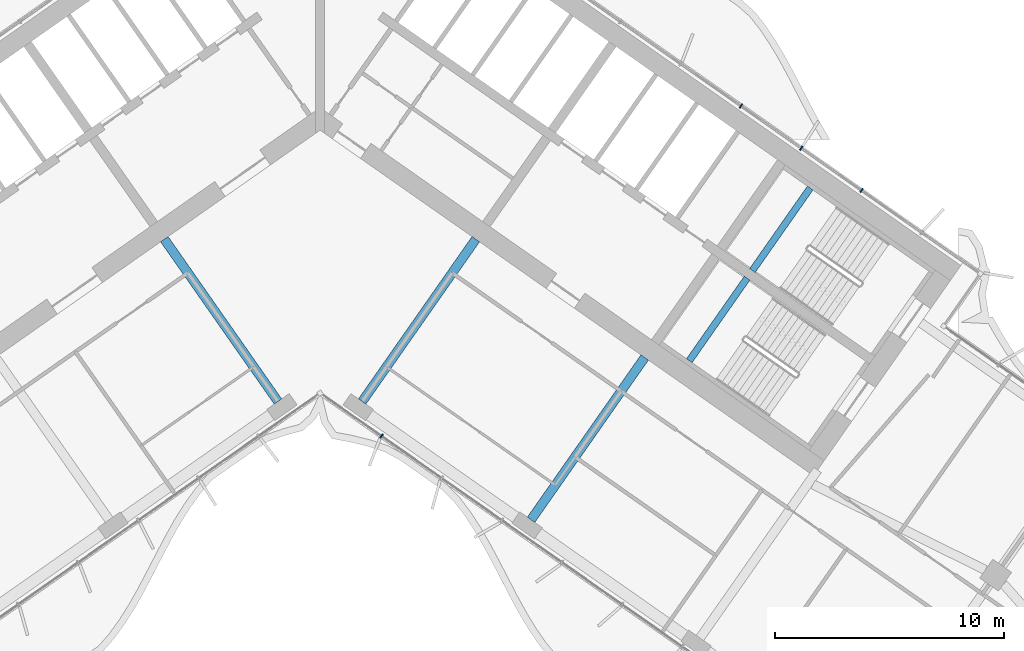
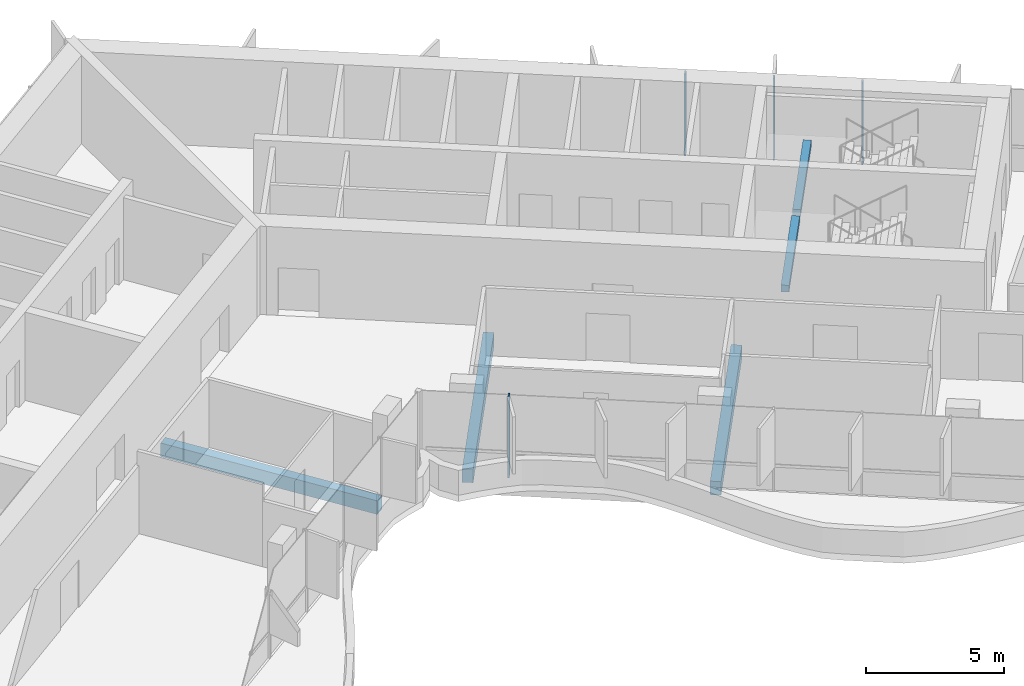
# One storey, part 7 of 23: 5 beams, 4 members, 2 elements without a shape of their own.
"""IFC4 building model written with IfcOpenShell, lengths in metres."""

from ifc_helpers import new_model, si_unit, direction, frame, origin, origin_2d, place, context, subcontext, project, spatial, rectangle, extrude, material, material_profile, profile_set, type_object, element, aggregate, save


model = new_model("IFC4")

# Units and contexts
model_context = context("Model", 3, precision=1e-05, world=origin(), true_north=direction((0.0, 1.0)))
body_context = subcontext(model_context, "Body", "Model", "MODEL_VIEW")
ifc_project = project(units=[si_unit("LENGTHUNIT", "METRE"), si_unit("AREAUNIT", "SQUARE_METRE"), si_unit("VOLUMEUNIT", "CUBIC_METRE"), si_unit("PLANEANGLEUNIT", "RADIAN"), si_unit("MASSUNIT", "GRAM", prefix="KILO")], contexts=[model_context])

# Site, building, storey
site_placement = place(None, origin())
site = spatial("IfcSite", under=ifc_project, at=site_placement, CompositionType="ELEMENT")
building_placement = place(site_placement, origin())
building = spatial("IfcBuilding", under=site, at=building_placement, Name="Tel Ilan Convention Tower", CompositionType="ELEMENT")
storey_placement = place(building_placement, frame((0.0, 0.0, 174.89990234375)))
storey = spatial("IfcBuildingStorey", under=building, at=storey_placement, Name="L40", CompositionType="ELEMENT", Elevation=174.89990234375)

# Beams
ifc_material_1 = material(Name="Concrete C40/50", Category="concrete")
ifc_material_profile_1 = material_profile(ifc_material_1, rectangle(XDim=0.39990234375, YDim=0.60009765625, at=origin_2d()), Name="RC 400x600")
ifc_profile_set_1 = profile_set([ifc_material_profile_1], Name="Concrete C40/50")
beam_type_1 = type_object("IfcBeamType", Name="Beam RC 400x600 Concrete C40/50", PredefinedType="BEAM", material=ifc_profile_set_1)
for number, where, z_axis, x_axis, name in (
    (1, (-1.83740234375, -13.06689453125, -0.579833984375), (-0.573574099654, 0.819153680457, 0.0), (-0.819153680457, -0.573574099654, 0.0), "L40 beam W-W-F1-core"),
    (2, (1.83740234375, -13.06689453125, -0.579833984375), (0.573574099654, 0.819153680457, 0.0), (-0.819153680457, 0.573574099654, 0.0), "L40 beam E-E-F1-core"),
    (3, (9.209716796875, -18.229248046875, -0.579833984375), (0.573574099654, 0.819153680457, 0.0), (-0.819153680457, 0.573574099654, 0.0), "L40 beam E-E-F2-core"),
):
    element("IfcBeam", number, at=place(storey_placement, frame(where, z_axis=z_axis, x_axis=x_axis)), inside=storey, type_object=beam_type_1, Name=name, PredefinedType="BEAM", context=body_context, shape_type="SweptSolid", body=[
        extrude(rectangle(XDim=0.39990234375, YDim=0.60009765625, at=origin_2d()), origin(), (0.0, 0.0, 1.0), 8.64990234375),
    ])

# Curtain wall, members
ifc_material_2 = material(Name="Aluminium, bronze anodised", Category="aluminium")
curtain_wall_type_1 = type_object("IfcCurtainWallType", Name="CW2 STICK CURTAIN WALL, SPANDREL PANELS", PredefinedType="NOTDEFINED", material=ifc_material_2)
curtain_wall_1_placement = place(storey_placement, origin())
curtain_wall_1 = element("IfcCurtainWall", 4, at=curtain_wall_1_placement, inside=storey, type_object=curtain_wall_type_1, Name="Curtain wall CW2-31.01", PredefinedType="NOTDEFINED")
ifc_material_3 = material(Name="Aluminium, bronze anodised", Category="aluminium")
ifc_material_profile_2 = material_profile(ifc_material_3, rectangle(XDim=0.06005859375, YDim=0.199951171875, at=origin_2d()), Name="CW MULLION 60x200")
ifc_profile_set_2 = profile_set([ifc_material_profile_2], Name="Aluminium, bronze anodised")
member_type = type_object("IfcMemberType", Name="CW MULLION 60x200", PredefinedType="MULLION", material=ifc_profile_set_2)
member_1_placement = place(storey_placement, frame((23.63623046875, -3.854248046875, 0.0), z_axis=(0.0, 0.0, 1.0), x_axis=(-0.819152044289, 0.573576436351, 0.0)))
member_1 = element("IfcMember", 5, at=member_1_placement, type_object=member_type, Name="Mullion", PredefinedType="MULLION", context=body_context, shape_type="SweptSolid", body=[
    extrude(rectangle(XDim=0.06005859375, YDim=0.199951171875, at=origin_2d()), origin(), (0.0, 0.0, 1.0), 3.6201171875),
])
member_2_placement = place(storey_placement, frame((21.003662109375, -2.0107421875, 0.0), z_axis=(0.0, 0.0, 1.0), x_axis=(-0.819152044289, 0.573576436351, 0.0)))
member_2 = element("IfcMember", 6, at=member_2_placement, type_object=member_type, Name="Mullion", PredefinedType="MULLION", context=body_context, shape_type="SweptSolid", body=[
    extrude(rectangle(XDim=0.06005859375, YDim=0.199951171875, at=origin_2d()), origin(), (0.0, 0.0, 1.0), 3.6201171875),
])
member_3_placement = place(storey_placement, frame((18.37109375, -0.16748046875, 0.0), z_axis=(0.0, 0.0, 1.0), x_axis=(-0.819152044289, 0.573576436351, 0.0)))
member_3 = element("IfcMember", 7, at=member_3_placement, type_object=member_type, Name="Mullion", PredefinedType="MULLION", context=body_context, shape_type="SweptSolid", body=[
    extrude(rectangle(XDim=0.06005859375, YDim=0.199951171875, at=origin_2d()), origin(), (0.0, 0.0, 1.0), 3.6201171875),
])
aggregate(curtain_wall_1, [member_1, member_2, member_3])

# Curtain wall, member
ifc_material_4 = material(Name="Aluminium, bronze anodised", Category="aluminium")
curtain_wall_type_2 = type_object("IfcCurtainWallType", Name="CW4 STICK CURTAIN WALL, OFFICE TINTED GLASS", PredefinedType="NOTDEFINED", material=ifc_material_4)
curtain_wall_2_placement = place(storey_placement, origin())
curtain_wall_2 = element("IfcCurtainWall", 8, at=curtain_wall_2_placement, inside=storey, type_object=curtain_wall_type_2, Name="Curtain wall CW4-31.02", PredefinedType="NOTDEFINED")
member_4_placement = place(storey_placement, frame((2.6826171875, -14.574462890625, 0.0), z_axis=(0.0, 0.0, 1.0), x_axis=(0.819152044289, -0.573576436351, 0.0)))
member_4 = element("IfcMember", 9, at=member_4_placement, type_object=member_type, Name="Mullion", PredefinedType="MULLION", context=body_context, shape_type="SweptSolid", body=[
    extrude(rectangle(XDim=0.06005859375, YDim=0.199951171875, at=origin_2d()), origin(), (0.0, 0.0, 1.0), 3.6201171875),
])
aggregate(curtain_wall_2, [member_4])

# Beams
ifc_material_5 = material(Name="Concrete C40/50", Category="concrete")
ifc_material_profile_3 = material_profile(ifc_material_5, rectangle(XDim=0.300048828125, YDim=0.300048828125, at=origin_2d()), Name="RC 300x300")
ifc_profile_set_3 = profile_set([ifc_material_profile_3], Name="Concrete C40/50")
beam_type_2 = type_object("IfcBeamType", Name="Landing Beam RC 300x300 Concrete C40/50", PredefinedType="BEAM", material=ifc_profile_set_3)
beam_1_placement = place(storey_placement, frame((21.39404296875, -3.7490234375, 1.60009765625), z_axis=(-0.57354426506, -0.819174569928, 0.0), x_axis=(0.819174569928, -0.57354426506, 0.0)))
element("IfcBeam", 10, at=beam_1_placement, inside=storey, type_object=beam_type_2, Name="S3 landing beam L40.1", PredefinedType="BEAM", context=body_context, shape_type="SweptSolid", body=[
    extrude(rectangle(XDim=0.300048828125, YDim=0.300048828125, at=origin_2d()), origin(), (0.0, 0.0, 1.0), 4.400146484375),
])
beam_2_placement = place(storey_placement, frame((18.640869140625, -7.68115234375, 1.60009765625), z_axis=(-0.573570334442, -0.819156316858, 0.0), x_axis=(0.819156316858, -0.573570334442, 0.0)))
element("IfcBeam", 11, at=beam_2_placement, inside=storey, type_object=beam_type_2, Name="S4 landing beam L40.1", PredefinedType="BEAM", context=body_context, shape_type="SweptSolid", body=[
    extrude(rectangle(XDim=0.300048828125, YDim=0.300048828125, at=origin_2d()), origin(), (0.0, 0.0, 1.0), 4.39990234375),
])

save(model, "model.ifc")
